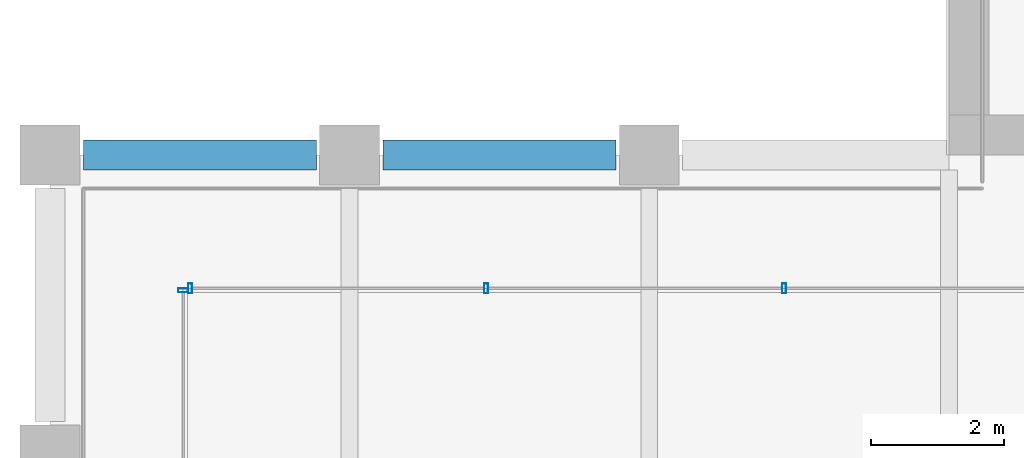
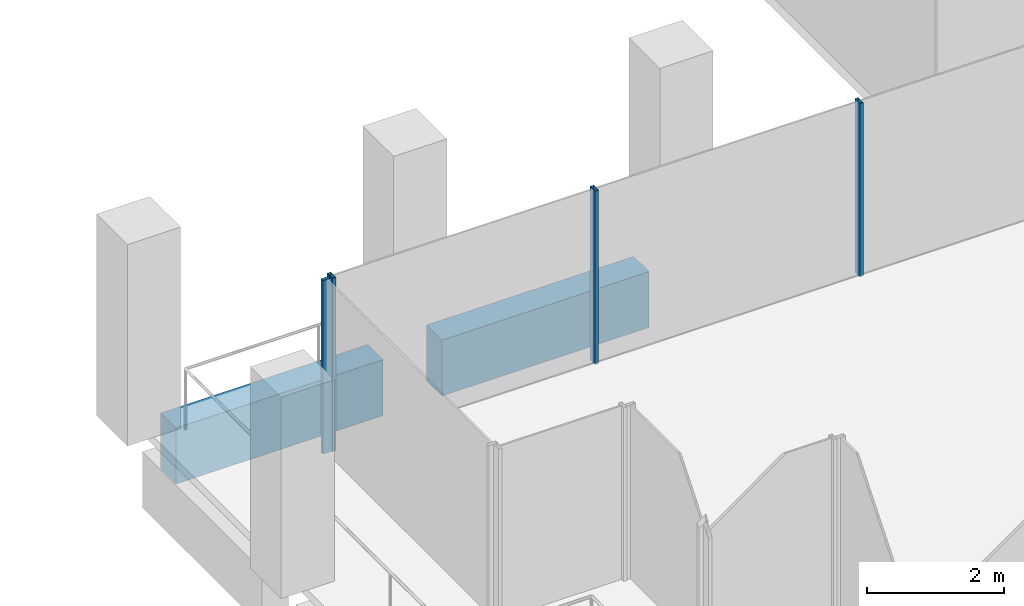
# One storey, part 5 of 44: 4 members, 2 beams, 2 elements without a shape of their own.
"""IFC4 building model written with IfcOpenShell, lengths in metres."""

from ifc_helpers import new_model, si_unit, direction, frame, origin, origin_2d, place, context, subcontext, project, spatial, rectangle, hollow_rectangle, extrude, material, material_profile, profile_set, type_object, element, aggregate, save


model = new_model("IFC4")

# Units and contexts
model_context = context("Model", 3, precision=1e-05, world=origin(), true_north=direction((0.0, 1.0)))
body_context = subcontext(model_context, "Body", "Model", "MODEL_VIEW")
ifc_project = project(units=[si_unit("LENGTHUNIT", "METRE"), si_unit("AREAUNIT", "SQUARE_METRE"), si_unit("VOLUMEUNIT", "CUBIC_METRE"), si_unit("PLANEANGLEUNIT", "RADIAN"), si_unit("MASSUNIT", "GRAM", prefix="KILO")], contexts=[model_context])

# Site, building, storey
site_placement = place(None, origin())
site = spatial("IfcSite", under=ifc_project, at=site_placement, CompositionType="ELEMENT")
building_placement = place(site_placement, origin())
building = spatial("IfcBuilding", under=site, at=building_placement, Name="Altepetl Exchange Towers", CompositionType="ELEMENT")
storey_placement = place(building_placement, frame((0.0, 0.0, 143.800048828125)))
storey = spatial("IfcBuildingStorey", under=building, at=storey_placement, Name="L35", CompositionType="ELEMENT", Elevation=143.800048828125)

# Curtain wall, members
ifc_material_1 = material(Name="Aluminium 6063-T6 glazing", Category="aluminium")
curtain_wall_type = type_object("IfcCurtainWallType", Name="Loggia glazing system", PredefinedType="NOTDEFINED", material=ifc_material_1)
curtain_wall_1_placement = place(storey_placement, origin())
curtain_wall_1 = element("IfcCurtainWall", 1, at=curtain_wall_1_placement, inside=storey, type_object=curtain_wall_type, Name="CW1 run", PredefinedType="NOTDEFINED")
ifc_material_2 = material(Name="Aluminium 6063-T6", Category="aluminium")
ifc_material_profile_1 = material_profile(ifc_material_2, hollow_rectangle(XDim=0.06005859375, YDim=0.14990234375, WallThickness=0.0029296875, at=origin_2d()), Name="Mullion 60x150 aluminium")
ifc_profile_set_1 = profile_set([ifc_material_profile_1], Name="Aluminium 6063-T6")
member_type = type_object("IfcMemberType", Name="Mullion 60x150 aluminium", PredefinedType="MULLION", material=ifc_profile_set_1)
member_1_placement = place(storey_placement, frame((38.02490234375, 38.5, 0.0), z_axis=(0.0, 0.0, 1.0), x_axis=(-1.0, 0.0, 0.0)))
member_1 = element("IfcMember", 2, at=member_1_placement, type_object=member_type, Name="MU1 mullion", PredefinedType="MULLION", context=body_context, shape_type="SweptSolid", body=[
    extrude(hollow_rectangle(XDim=0.06005859375, YDim=0.14990234375, WallThickness=0.0029296875, at=origin_2d()), origin(), (0.0, 0.0, 1.0), 3.099853515625),
])
member_2_placement = place(storey_placement, frame((33.550048828125, 38.5, 0.0), z_axis=(0.0, 0.0, 1.0), x_axis=(-1.0, 0.0, 0.0)))
member_2 = element("IfcMember", 3, at=member_2_placement, type_object=member_type, Name="MU1 mullion", PredefinedType="MULLION", context=body_context, shape_type="SweptSolid", body=[
    extrude(hollow_rectangle(XDim=0.06005859375, YDim=0.14990234375, WallThickness=0.0029296875, at=origin_2d()), origin(), (0.0, 0.0, 1.0), 3.099853515625),
])
member_3_placement = place(storey_placement, frame((29.10498046875, 38.5, 0.0), z_axis=(0.0, 0.0, 1.0), x_axis=(-1.0, 0.0, 0.0)))
member_3 = element("IfcMember", 4, at=member_3_placement, type_object=member_type, Name="MU1 mullion", PredefinedType="MULLION", context=body_context, shape_type="SweptSolid", body=[
    extrude(hollow_rectangle(XDim=0.06005859375, YDim=0.14990234375, WallThickness=0.0029296875, at=origin_2d()), origin(), (0.0, 0.0, 1.0), 3.099853515625),
])
aggregate(curtain_wall_1, [member_1, member_2, member_3])

# Curtain wall, member
curtain_wall_2_placement = place(storey_placement, origin())
curtain_wall_2 = element("IfcCurtainWall", 5, at=curtain_wall_2_placement, inside=storey, type_object=curtain_wall_type, Name="CW1 run", PredefinedType="NOTDEFINED")
member_4_placement = place(storey_placement, frame((29.0, 38.469970703125, 0.0), z_axis=(0.0, 0.0, 1.0), x_axis=(0.0, -1.0, 0.0)))
member_4 = element("IfcMember", 6, at=member_4_placement, type_object=member_type, Name="MU1 mullion", PredefinedType="MULLION", context=body_context, shape_type="SweptSolid", body=[
    extrude(hollow_rectangle(XDim=0.06005859375, YDim=0.14990234375, WallThickness=0.0029296875, at=origin_2d()), origin(), (0.0, 0.0, 1.0), 3.099853515625),
])
aggregate(curtain_wall_2, [member_4])

# Beams
ifc_material_3 = material(Name="Concrete C50/60 precast with tezontle facing", Category="concrete")
ifc_material_profile_2 = material_profile(ifc_material_3, rectangle(XDim=0.449951171875, YDim=1.0, at=origin_2d()), Name="450 x 1000")
ifc_profile_set_2 = profile_set([ifc_material_profile_2], Name="Concrete C50/60 precast with tezontle facing")
beam_type = type_object("IfcBeamType", Name="Spandrel beam 450x1000 tezontle", PredefinedType="SPANDREL", material=ifc_profile_set_2)
for number, where, z_axis, x_axis, name in (
    (7, (35.5, 40.5, -0.650146484375), (-1.0, 0.0, 0.0), (0.0, -1.0, 0.0), "sp:A:L35:034"),
    (8, (31.0, 40.5, -0.650146484375), (-1.0, 0.0, 0.0), (0.0, -1.0, 0.0), "sp:A:L35:035"),
):
    element("IfcBeam", number, at=place(storey_placement, frame(where, z_axis=z_axis, x_axis=x_axis)), inside=storey, type_object=beam_type, Name=name, PredefinedType="SPANDREL", context=body_context, shape_type="SweptSolid", body=[
        extrude(rectangle(XDim=0.449951171875, YDim=1.0, at=origin_2d()), origin(), (0.0, 0.0, 1.0), 3.5),
    ])

save(model, "model.ifc")
